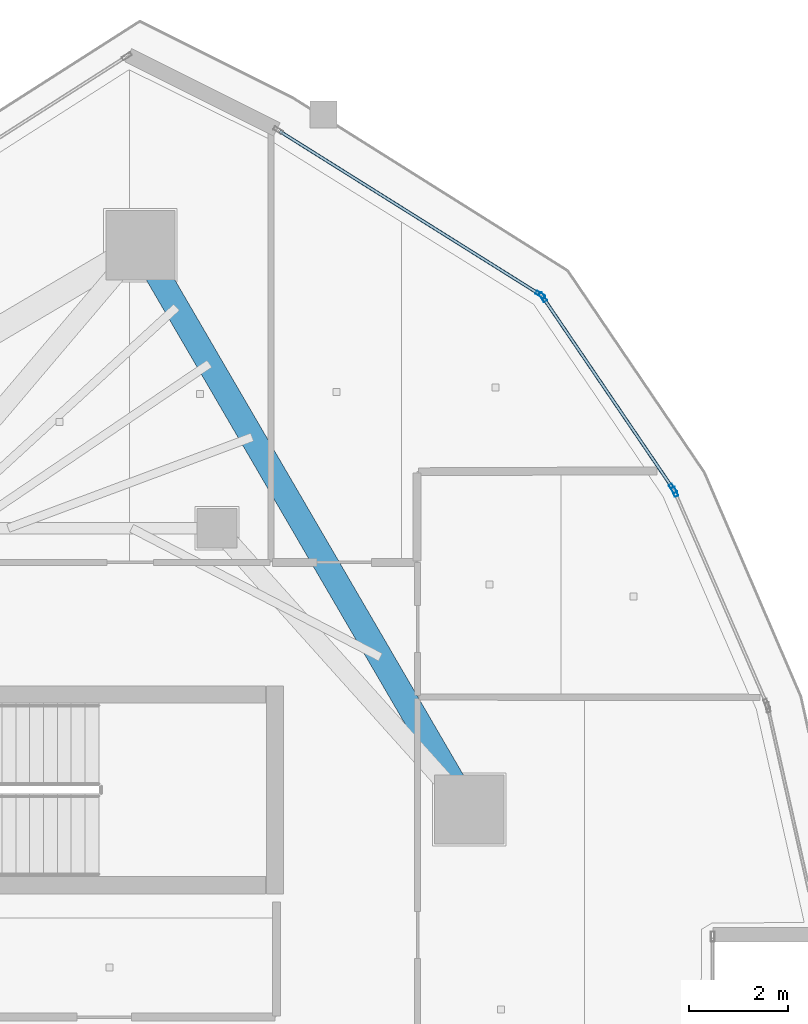
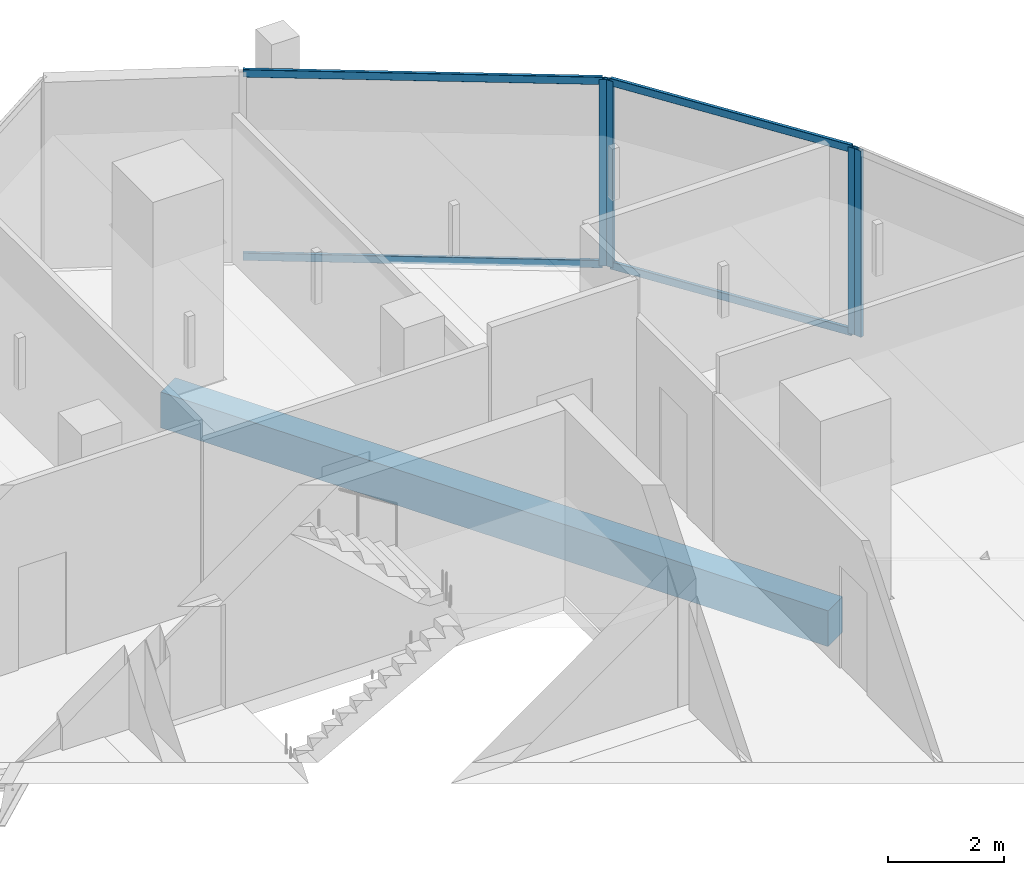
# One storey, part 14 of 24: 8 members, 1 beam, 3 elements without a shape of their own.
"""IFC4 building model written with IfcOpenShell, lengths in metres."""

import ifcopenshell
import ifcopenshell.guid

model = None  # the IFC model being written
_history = None  # IfcOwnerHistory: only IFC2X3 demands one
_inside = {}  # id of a spatial element -> (the spatial element, [elements in it])
_under = {}  # id of a project, library or spatial element -> (it, [spatial elements below it])
_declared = {}  # id of a project -> (the project, [libraries it declares])
_typed = {}  # id of a type object -> (the type object, [elements of that type])
_made_of = {}  # id of a material, layer set ... -> (it, [elements and type objects made of it])


def new_model(schema):
    """Start an empty IFC model of exactly this schema.

    Asked for "IFC4X3", IfcOpenShell would pick the latest addendum, in which some entities
    have other attributes; the version numbers below select the first issue.
    IFC2X3 requires an IfcOwnerHistory on every rooted entity: one is made here for all.
    """
    global model, _history
    if schema == "IFC4X3":
        model = ifcopenshell.file(schema_version=(4, 3, 0, 0))
    else:
        model = ifcopenshell.file(schema=schema)
    _inside.clear()
    _under.clear()
    _declared.clear()
    _typed.clear()
    _made_of.clear()
    _history = None
    if model.schema == "IFC2X3":
        org = make("IfcOrganization", Name="unknown")
        user = make(
            "IfcPersonAndOrganization",
            ThePerson=make("IfcPerson", FamilyName="unknown"),
            TheOrganization=org,
        )
        app = make(
            "IfcApplication",
            ApplicationDeveloper=org,
            Version="unknown",
            ApplicationFullName="unknown",
            ApplicationIdentifier="unknown",
        )
        _history = make(
            "IfcOwnerHistory",
            OwningUser=user,
            OwningApplication=app,
            ChangeAction="ADDED",
            CreationDate=0,
        )
    return model


def make(cls, **values):
    """One entity of the class cls with the attributes given. An attribute that is None is left unset."""
    return model.create_entity(
        cls, **{name: value for name, value in values.items() if value is not None}
    )


def rooted(cls, **values):
    """An entity with a GlobalId (a new one), such as an element, a storey or a relation."""
    return make(cls, GlobalId=ifcopenshell.guid.new(), OwnerHistory=_history, **values)


def si_unit(unit_type, name, prefix=None):
    """IfcSIUnit, for example si_unit("LENGTHUNIT", "METRE", prefix="MILLI")."""
    return make("IfcSIUnit", UnitType=unit_type, Prefix=prefix, Name=name)


def assignment(units):
    """IfcUnitAssignment: the units of a project."""
    return None if units is None else make("IfcUnitAssignment", Units=units)


def point(xyz):
    """IfcCartesianPoint."""
    return None if xyz is None else make("IfcCartesianPoint", Coordinates=xyz)


def direction(xyz):
    """IfcDirection."""
    return None if xyz is None else make("IfcDirection", DirectionRatios=xyz)


def frame(location, z_axis=None, x_axis=None):
    """IfcAxis2Placement3D, a coordinate frame: its origin and axes. An axis left out is left unset."""
    return make(
        "IfcAxis2Placement3D",
        Location=point(location),
        Axis=direction(z_axis),
        RefDirection=direction(x_axis),
    )


def frame_2d(location, x_axis=None):
    """IfcAxis2Placement2D, a coordinate frame in the plane: its origin and x axis."""
    return make(
        "IfcAxis2Placement2D", Location=point(location), RefDirection=direction(x_axis)
    )


def origin():
    """The frame at (0, 0, 0) with its axes left unset."""
    return frame((0.0, 0.0, 0.0))


def origin_2d():
    """The frame at (0, 0) in the plane with its x axis left unset."""
    return frame_2d((0.0, 0.0))


def place(relative_to, where):
    """IfcLocalPlacement: puts the frame where relative to a parent placement (None: the world)."""
    return make(
        "IfcLocalPlacement", PlacementRelTo=relative_to, RelativePlacement=where
    )


def context(
    kind, dimensions, precision=None, world=None, true_north=None, identifier=None
):
    """IfcGeometricRepresentationContext, for example the 3D "Model" context."""
    return make(
        "IfcGeometricRepresentationContext",
        ContextIdentifier=identifier,
        ContextType=kind,
        CoordinateSpaceDimension=dimensions,
        Precision=precision,
        WorldCoordinateSystem=world,
        TrueNorth=true_north,
    )


def subcontext(parent, identifier, kind, view, scale=None):
    """IfcGeometricRepresentationSubContext, for example "Body" below "Model"."""
    return make(
        "IfcGeometricRepresentationSubContext",
        ContextIdentifier=identifier,
        ContextType=kind,
        ParentContext=parent,
        TargetScale=scale,
        TargetView=view,
    )


def project(units=None, contexts=None):
    """IfcProject with its units and contexts."""
    return rooted(
        "IfcProject",
        Name="project",
        RepresentationContexts=contexts,
        UnitsInContext=assignment(units),
    )


def spatial(cls, under=None, at=None, **own):
    """A site, building, storey or space (cls), placed at a placement, below another one or the project."""
    s = rooted(cls, ObjectPlacement=at, **own)
    if under is not None:
        _under.setdefault(under.id(), (under, []))[1].append(s)
    return s


def profile(cls, at=None, kind="AREA", **sizes):
    """A parametric profile (cls). Its sizes go by their IFC names, for example OverallWidth=200.0."""
    return make(cls, ProfileType=kind, Position=at, **sizes)


def rectangle(**sizes):
    """IfcRectangleProfileDef."""
    return profile("IfcRectangleProfileDef", **sizes)


def hollow_rectangle(**sizes):
    """IfcRectangleHollowProfileDef."""
    return profile("IfcRectangleHollowProfileDef", **sizes)


def extrude(swept, where, along, depth):
    """IfcExtrudedAreaSolid: the profile swept, set in the frame where, extruded along a direction by depth."""
    return make(
        "IfcExtrudedAreaSolid",
        SweptArea=swept,
        Position=where,
        ExtrudedDirection=direction(along),
        Depth=depth,
    )


def shape(context_of_items, identifier, shape_type, items):
    """IfcShapeRepresentation: the items that make up one representation, for example the "Body"."""
    return make(
        "IfcShapeRepresentation",
        ContextOfItems=context_of_items,
        RepresentationIdentifier=identifier,
        RepresentationType=shape_type,
        Items=items,
    )


def material(Name=None, Category=None):
    """IfcMaterial."""
    return make("IfcMaterial", Name=Name, Category=Category)


def layer(
    of_material, thickness, ventilated=None, Name=None, Category=None, Priority=None
):
    """IfcMaterialLayer: one layer of a wall or slab, of a material (None: an air gap)."""
    return make(
        "IfcMaterialLayer",
        Material=of_material,
        LayerThickness=thickness,
        IsVentilated=ventilated,
        Name=Name,
        Category=Category,
        Priority=Priority,
    )


def layer_set(layers, Name=None):
    """IfcMaterialLayerSet."""
    return make("IfcMaterialLayerSet", MaterialLayers=layers, LayerSetName=Name)


def material_profile(
    of_material, cross_section, Name=None, Category=None, Priority=None
):
    """IfcMaterialProfile: a cross section and its material."""
    return make(
        "IfcMaterialProfile",
        Name=Name,
        Material=of_material,
        Profile=cross_section,
        Priority=Priority,
        Category=Category,
    )


def profile_set(profiles, Name=None, composite=None):
    """IfcMaterialProfileSet."""
    return make(
        "IfcMaterialProfileSet",
        Name=Name,
        MaterialProfiles=profiles,
        CompositeProfile=composite,
    )


def made_of(thing, what):
    """Note that an element or type object is made of a material, layer set ...; save() writes the relation."""
    if what is not None:
        _made_of.setdefault(what.id(), (what, []))[1].append(thing)
    return thing


def type_object(cls, material=None, **own):
    """A type object (cls), such as IfcWallType, which elements share."""
    return made_of(rooted(cls, **own), material)


def element(
    cls,
    number,
    at=None,
    inside=None,
    cuts=None,
    type_object=None,
    material=None,
    context=None,
    identifier="Body",
    shape_type=None,
    held_by="IfcProductDefinitionShape",
    body=None,
    shapes=None,
    **own,
):
    """One element of the class cls, such as IfcWall. Its Tag is "e" and its number.

    at: its placement. inside: the storey or other place that contains it. cuts: it is an
    opening in that element (IfcRelVoidsElement). A single representation is given by context,
    identifier, shape_type and body (its items); several are given by shapes. held_by: the class
    of the entity that holds the representations. save() writes the other relations.
    """
    e = rooted(cls, Tag="e%d" % number, ObjectPlacement=at, **own)
    if body is not None:
        shapes = [shape(context, identifier, shape_type, body)]
    if shapes is not None:
        e.Representation = make(held_by, Representations=shapes)
    if inside is not None:
        _inside.setdefault(inside.id(), (inside, []))[1].append(e)
    if cuts is not None:
        rooted(
            "IfcRelVoidsElement", RelatingBuildingElement=cuts, RelatedOpeningElement=e
        )
    if type_object is not None:
        _typed.setdefault(type_object.id(), (type_object, []))[1].append(e)
    return made_of(e, material)


def aggregate(whole, parts):
    """IfcRelAggregates: a whole, such as a stair, and the parts it consists of."""
    return rooted("IfcRelAggregates", RelatingObject=whole, RelatedObjects=parts)


def save(model, path):
    """Write the relations noted so far, then the file.

    IfcRelAggregates (storeys below a building ...), IfcRelContainedInSpatialStructure (elements
    in a storey), IfcRelDefinesByType, IfcRelAssociatesMaterial and IfcRelDeclares: one each for
    every whole, place, type object, material and project.
    """
    for whole, parts in _under.values():
        aggregate(whole, parts)
    for where, things in _inside.values():
        rooted(
            "IfcRelContainedInSpatialStructure",
            RelatedElements=things,
            RelatingStructure=where,
        )
    for kind, things in _typed.values():
        rooted("IfcRelDefinesByType", RelatedObjects=things, RelatingType=kind)
    for what, things in _made_of.values():
        rooted("IfcRelAssociatesMaterial", RelatedObjects=things, RelatingMaterial=what)
    for by, libraries in _declared.values():
        rooted("IfcRelDeclares", RelatingContext=by, RelatedDefinitions=libraries)
    model.write(path)


model = new_model("IFC4")

# Units and contexts
model_context = context("Model", 3, precision=1e-05, world=origin(), true_north=direction((0.0, 1.0)))
body_context = subcontext(model_context, "Body", "Model", "MODEL_VIEW")
ifc_project = project(units=[si_unit("LENGTHUNIT", "METRE"), si_unit("AREAUNIT", "SQUARE_METRE"), si_unit("VOLUMEUNIT", "CUBIC_METRE"), si_unit("PLANEANGLEUNIT", "RADIAN"), si_unit("MASSUNIT", "GRAM", prefix="KILO")], contexts=[model_context])

# Site, building, storey
site_placement = place(None, origin())
site = spatial("IfcSite", under=ifc_project, at=site_placement, CompositionType="ELEMENT")
building_placement = place(site_placement, origin())
building = spatial("IfcBuilding", under=site, at=building_placement, Name="Qorvath Tower", CompositionType="ELEMENT")
storey_placement = place(building_placement, frame((0.0, 0.0, 318.60009765625)))
storey = spatial("IfcBuildingStorey", under=building, at=storey_placement, Name="L74", CompositionType="ELEMENT", Elevation=318.60009765625)

# Beam
ifc_material_1 = material(Name="Concrete C45/55", Category="concrete")
ifc_material_profile_1 = material_profile(ifc_material_1, rectangle(XDim=0.5, YDim=0.75, at=origin_2d()), Name="RCB 750x500")
ifc_profile_set_1 = profile_set([ifc_material_profile_1], Name="Concrete C45/55")
beam_type = type_object("IfcBeamType", Name="BM-RCB3", PredefinedType="SPANDREL", material=ifc_profile_set_1)
beam_placement = place(storey_placement, frame((-12.0966796875, 5.7578125, -0.6650390625), z_axis=(-0.503502256692, 0.863993910572, 0.0), x_axis=(-0.863993910572, -0.503502256692, 0.0)))
element("IfcBeam", 1, at=beam_placement, inside=storey, type_object=beam_type, Name="Perimeter Loggia Frame Beam MC5-MC6 L74", PredefinedType="SPANDREL", context=body_context, shape_type="SweptSolid", body=[
    extrude(rectangle(XDim=0.5, YDim=0.75, at=origin_2d()), origin(), (0.0, 0.0, 1.0), 13.215087890625),
])

# Curtain wall, member
ifc_material_2 = material(Name="Anodised aluminium and triple low-E glass", Category="aluminium")
ifc_layer = layer(ifc_material_2, 0.179931640625)
ifc_layer_set = layer_set([ifc_layer], Name="CW-SYS-4")
curtain_wall_type = type_object("IfcCurtainWallType", Name="CW-SYS-4", PredefinedType="NOTDEFINED", material=ifc_layer_set)
curtain_wall_1_placement = place(storey_placement, origin())
curtain_wall_1 = element("IfcCurtainWall", 2, at=curtain_wall_1_placement, inside=storey, type_object=curtain_wall_type, Name="Curtain Wall CW-4 CW-T-L74-12.1", PredefinedType="NOTDEFINED")
ifc_material_3 = material(Name="Anodised aluminium 6063-T6", Category="aluminium")
ifc_material_profile_2 = material_profile(ifc_material_3, hollow_rectangle(XDim=0.074951171875, YDim=0.199951171875, WallThickness=0.00390625, InnerFilletRadius=0.00390625, OuterFilletRadius=0.008056640625, at=origin_2d()), Name="CWM 200x75")
ifc_profile_set_2 = profile_set([ifc_material_profile_2], Name="Anodised aluminium 6063-T6")
member_type_1 = type_object("IfcMemberType", Name="CWM-200", PredefinedType="MULLION", material=ifc_profile_set_2)
member_1_placement = place(storey_placement, frame((-7.9404296875, 12.188232421875, 0.0), z_axis=(0.0, 0.0, 1.0), x_axis=(-0.917466577873, -0.397812868679, 0.0)))
member_1 = element("IfcMember", 3, at=member_1_placement, type_object=member_type_1, Name="CW-4 mullion 2", PredefinedType="MULLION", context=body_context, shape_type="SweptSolid", body=[
    extrude(hollow_rectangle(XDim=0.074951171875, YDim=0.199951171875, WallThickness=0.00390625, InnerFilletRadius=0.00390625, OuterFilletRadius=0.008056640625, at=origin_2d()), origin(), (0.0, 0.0, 1.0), 3.909912109375),
])
aggregate(curtain_wall_1, [member_1])

# Curtain wall, members
curtain_wall_2_placement = place(storey_placement, origin())
curtain_wall_2 = element("IfcCurtainWall", 4, at=curtain_wall_2_placement, inside=storey, type_object=curtain_wall_type, Name="Curtain Wall CW-4 CW-T-L74-13.1", PredefinedType="NOTDEFINED")
member_2_placement = place(storey_placement, frame((-7.976318359375, 12.253662109375, 0.0), z_axis=(0.0, 0.0, 1.0), x_axis=(-0.827081806611, -0.56208156452, 0.0)))
member_2 = element("IfcMember", 5, at=member_2_placement, type_object=member_type_1, Name="CW-4 mullion 1", PredefinedType="MULLION", context=body_context, shape_type="SweptSolid", body=[
    extrude(hollow_rectangle(XDim=0.074951171875, YDim=0.199951171875, WallThickness=0.00390625, InnerFilletRadius=0.00390625, OuterFilletRadius=0.008056640625, at=origin_2d()), origin(), (0.0, 0.0, 1.0), 3.909912109375),
])
member_3_placement = place(storey_placement, frame((-10.606201171875, 16.123291015625, 0.0), z_axis=(0.0, 0.0, 1.0), x_axis=(-0.827081806611, -0.56208156452, 0.0)))
member_3 = element("IfcMember", 6, at=member_3_placement, type_object=member_type_1, Name="CW-4 mullion 2", PredefinedType="MULLION", context=body_context, shape_type="SweptSolid", body=[
    extrude(hollow_rectangle(XDim=0.074951171875, YDim=0.199951171875, WallThickness=0.00390625, InnerFilletRadius=0.00390625, OuterFilletRadius=0.008056640625, at=origin_2d()), origin(), (0.0, 0.0, 1.0), 3.909912109375),
])

# Curtain wall, member
curtain_wall_3_placement = place(storey_placement, origin())
curtain_wall_3 = element("IfcCurtainWall", 7, at=curtain_wall_3_placement, inside=storey, type_object=curtain_wall_type, Name="Curtain Wall CW-4 CW-T-L74-14.1", PredefinedType="NOTDEFINED")
member_4_placement = place(storey_placement, frame((-10.658935546875, 16.17431640625, 0.0), z_axis=(0.0, 0.0, 1.0), x_axis=(-0.531317282713, -0.847172913336, 0.0)))
member_4 = element("IfcMember", 8, at=member_4_placement, type_object=member_type_1, Name="CW-4 mullion 1", PredefinedType="MULLION", context=body_context, shape_type="SweptSolid", body=[
    extrude(hollow_rectangle(XDim=0.074951171875, YDim=0.199951171875, WallThickness=0.00390625, InnerFilletRadius=0.00390625, OuterFilletRadius=0.008056640625, at=origin_2d()), origin(), (0.0, 0.0, 1.0), 3.909912109375),
])

# Member
ifc_material_4 = material(Name="Anodised aluminium 6063-T6", Category="aluminium")
ifc_material_profile_3 = material_profile(ifc_material_4, hollow_rectangle(XDim=0.06494140625, YDim=0.159912109375, WallThickness=0.00341796875, InnerFilletRadius=0.00341796875, OuterFilletRadius=0.007080078125, at=origin_2d()), Name="CWT 160x65")
ifc_profile_set_3 = profile_set([ifc_material_profile_3], Name="Anodised aluminium 6063-T6")
member_type_2 = type_object("IfcMemberType", Name="CWT-160", PredefinedType="USERDEFINED", material=ifc_profile_set_3)
member_5_placement = place(storey_placement, frame((-7.99755859375, 12.28466796875, 0.032470703125), z_axis=(-0.562045987151, 0.827105983733, 0.0), x_axis=(-0.827105983733, -0.562045987151, 0.0)))
member_5 = element("IfcMember", 9, at=member_5_placement, type_object=member_type_2, Name="CW-4 transom 1.1", ObjectType="TRANSOM", PredefinedType="USERDEFINED", context=body_context, shape_type="SweptSolid", body=[
    extrude(hollow_rectangle(XDim=0.06494140625, YDim=0.159912109375, WallThickness=0.00341796875, InnerFilletRadius=0.00341796875, OuterFilletRadius=0.007080078125, at=origin_2d()), origin(), (0.0, 0.0, 1.0), 4.603515625),
])

member_6_placement = place(storey_placement, frame((-7.99755859375, 12.28466796875, 3.87744140625), z_axis=(-0.562045987151, 0.827105983733, 0.0), x_axis=(-0.827105983733, -0.562045987151, 0.0)))
member_6 = element("IfcMember", 10, at=member_6_placement, type_object=member_type_2, Name="CW-4 transom 1.2", ObjectType="TRANSOM", PredefinedType="USERDEFINED", context=body_context, shape_type="SweptSolid", body=[
    extrude(hollow_rectangle(XDim=0.06494140625, YDim=0.159912109375, WallThickness=0.00341796875, InnerFilletRadius=0.00341796875, OuterFilletRadius=0.007080078125, at=origin_2d()), origin(), (0.0, 0.0, 1.0), 4.603515625),
])

aggregate(curtain_wall_2, [member_2, member_3, member_5, member_6])

member_7_placement = place(storey_placement, frame((-10.690673828125, 16.194091796875, 0.032470703125), z_axis=(-0.847174054247, 0.531315463552, 0.0), x_axis=(-0.531315463552, -0.847174054247, 0.0)))
member_7 = element("IfcMember", 11, at=member_7_placement, type_object=member_type_2, Name="CW-4 transom 1.1", ObjectType="TRANSOM", PredefinedType="USERDEFINED", context=body_context, shape_type="SweptSolid", body=[
    extrude(hollow_rectangle(XDim=0.06494140625, YDim=0.159912109375, WallThickness=0.00341796875, InnerFilletRadius=0.00341796875, OuterFilletRadius=0.007080078125, at=origin_2d()), origin(), (0.0, 0.0, 1.0), 6.18115234375),
])

member_8_placement = place(storey_placement, frame((-10.690673828125, 16.194091796875, 3.87744140625), z_axis=(-0.847174054247, 0.531315463552, 0.0), x_axis=(-0.531315463552, -0.847174054247, 0.0)))
member_8 = element("IfcMember", 12, at=member_8_placement, type_object=member_type_2, Name="CW-4 transom 1.2", ObjectType="TRANSOM", PredefinedType="USERDEFINED", context=body_context, shape_type="SweptSolid", body=[
    extrude(hollow_rectangle(XDim=0.06494140625, YDim=0.159912109375, WallThickness=0.00341796875, InnerFilletRadius=0.00341796875, OuterFilletRadius=0.007080078125, at=origin_2d()), origin(), (0.0, 0.0, 1.0), 6.18115234375),
])

aggregate(curtain_wall_3, [member_4, member_7, member_8])

save(model, "model.ifc")
